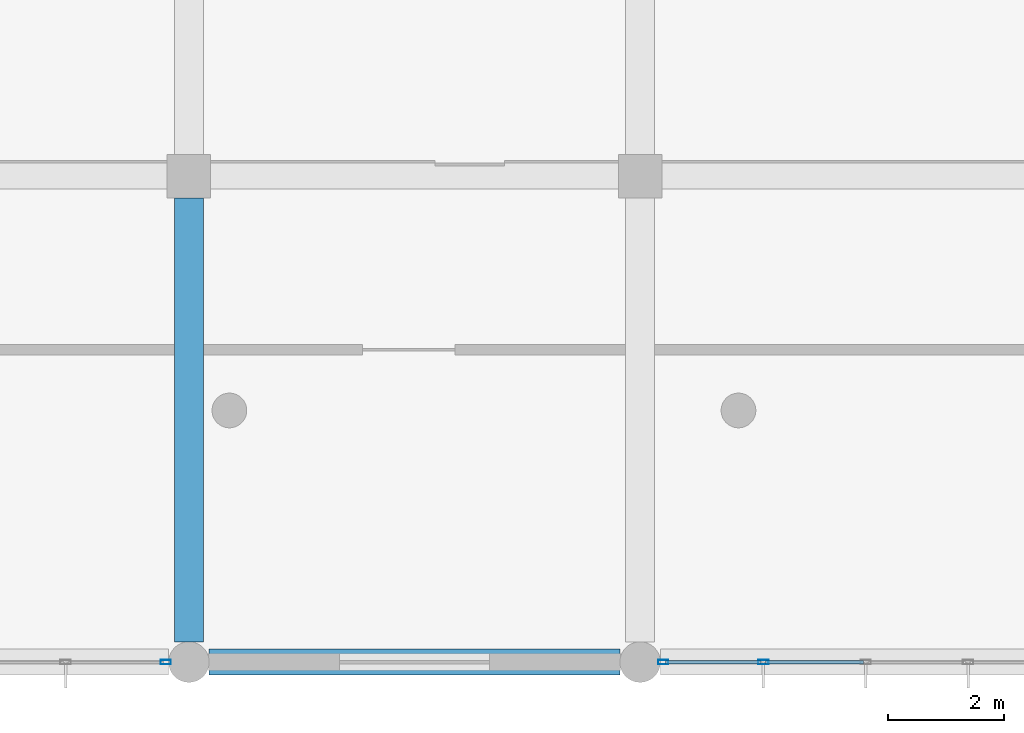
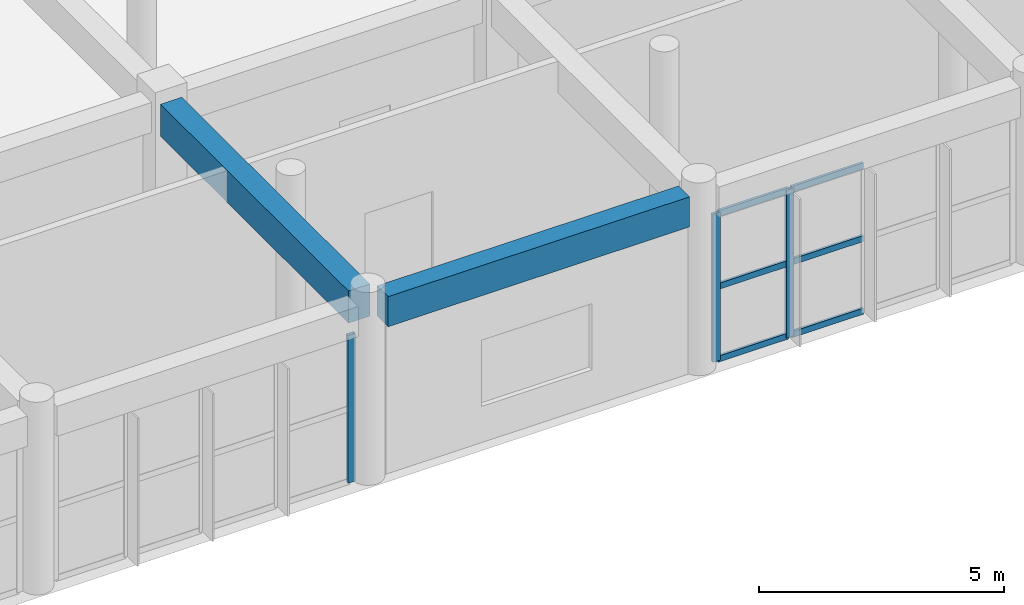
# One storey, part 37 of 175: 9 members, 2 beams, 2 elements without a shape of their own.
"""IFC4 building model written with IfcOpenShell, lengths in metres."""

from ifc_helpers import new_model, si_unit, direction, frame, origin, origin_2d, place, context, subcontext, project, spatial, rectangle, hollow_rectangle, extrude, material, layer, layer_set, material_profile, profile_set, type_object, element, aggregate, save


model = new_model("IFC4")

# Units and contexts
model_context = context("Model", 3, precision=1e-05, world=origin(), true_north=direction((0.0, 1.0)))
body_context = subcontext(model_context, "Body", "Model", "MODEL_VIEW")
ifc_project = project(units=[si_unit("LENGTHUNIT", "METRE"), si_unit("AREAUNIT", "SQUARE_METRE"), si_unit("VOLUMEUNIT", "CUBIC_METRE"), si_unit("PLANEANGLEUNIT", "RADIAN"), si_unit("MASSUNIT", "GRAM", prefix="KILO")], contexts=[model_context])

# Site, building, storey
site_placement = place(None, origin())
site = spatial("IfcSite", under=ifc_project, at=site_placement, CompositionType="ELEMENT")
building_placement = place(site_placement, origin())
building = spatial("IfcBuilding", under=site, at=building_placement, Name="Zizhar Promenade General Hospital", CompositionType="ELEMENT")
storey_placement = place(building_placement, frame((0.0, 0.0, 4.800048828125)))
storey = spatial("IfcBuildingStorey", under=building, at=storey_placement, Name="L01", CompositionType="ELEMENT", Elevation=4.800048828125)

# Beams
ifc_material_1 = material(Name="Concrete C35/45", Category="concrete")
ifc_material_profile_1 = material_profile(ifc_material_1, rectangle(XDim=0.449951171875, YDim=0.75, at=origin_2d()))
ifc_profile_set_1 = profile_set([ifc_material_profile_1], Name="Concrete C35/45")
beam_type_1 = type_object("IfcBeamType", Name="BM-RC-450x750", PredefinedType="BEAM", material=ifc_profile_set_1)
beam_1_placement = place(storey_placement, frame((109.550048828125, 0.0, 4.094970703125), z_axis=(1.0, 0.0, 0.0), x_axis=(0.0, 1.0, 0.0)))
element("IfcBeam", 1, at=beam_1_placement, inside=storey, type_object=beam_type_1, Name="Grid Beam X L01 (14-0)", PredefinedType="BEAM", context=body_context, shape_type="SweptSolid", body=[
    extrude(rectangle(XDim=0.449951171875, YDim=0.75, at=origin_2d()), origin(), (0.0, 0.0, 1.0), 7.099853515625),
])
ifc_material_2 = material(Name="Concrete C35/45", Category="concrete")
ifc_material_profile_2 = material_profile(ifc_material_2, rectangle(XDim=0.5, YDim=0.800048828125, at=origin_2d()))
ifc_profile_set_2 = profile_set([ifc_material_profile_2], Name="Concrete C35/45")
beam_type_2 = type_object("IfcBeamType", Name="BM-RC-500x800", PredefinedType="BEAM", material=ifc_profile_set_2)
beam_2_placement = place(storey_placement, frame((109.199951171875, 0.35009765625, 4.070068359375), z_axis=(0.0, 1.0, 0.0), x_axis=(-1.0, 0.0, 0.0)))
element("IfcBeam", 2, at=beam_2_placement, inside=storey, type_object=beam_type_2, Name="Grid Beam Y L01 (14-0)", PredefinedType="BEAM", context=body_context, shape_type="SweptSolid", body=[
    extrude(rectangle(XDim=0.5, YDim=0.800048828125, at=origin_2d()), origin(), (0.0, 0.0, 1.0), 7.6748046875),
])

# Curtain wall, member
ifc_material_3 = material(Name="Anodised aluminium 6063-T6 and low-E glass", Category="aluminium")
ifc_layer = layer(ifc_material_3, 0.159912109375)
ifc_layer_set = layer_set([ifc_layer], Name="Anodised aluminium 6063-T6 and low-E glass")
curtain_wall_type = type_object("IfcCurtainWallType", Name="CW-DT-MOD1", PredefinedType="NOTDEFINED", material=ifc_layer_set)
curtain_wall_1_placement = place(storey_placement, origin())
curtain_wall_1 = element("IfcCurtainWall", 3, at=curtain_wall_1_placement, inside=storey, type_object=curtain_wall_type, Name="Riverfront Clinical Curtain Wall L01-12", PredefinedType="NOTDEFINED")
ifc_material_4 = material(Name="Anodised aluminium 6063-T6", Category="aluminium")
ifc_material_profile_3 = material_profile(ifc_material_4, hollow_rectangle(XDim=0.080078125, YDim=0.179931640625, WallThickness=0.0048828125, at=origin_2d()))
ifc_profile_set_3 = profile_set([ifc_material_profile_3], Name="Anodised aluminium 6063-T6")
member_type_1 = type_object("IfcMemberType", Name="CWM-ALU-180x80", PredefinedType="MULLION", material=ifc_profile_set_3)
member_1_placement = place(storey_placement, frame((108.800048828125, 0.0, 0.0), z_axis=(0.0, 0.0, 1.0), x_axis=(0.0, -1.0, 0.0)))
member_1 = element("IfcMember", 4, at=member_1_placement, type_object=member_type_1, Name="CW-07 mullion 1", PredefinedType="MULLION", context=body_context, shape_type="SweptSolid", body=[
    extrude(hollow_rectangle(XDim=0.080078125, YDim=0.179931640625, WallThickness=0.0048828125, at=origin_2d()), origin(), (0.0, 0.0, 1.0), 3.679931640625),
])
aggregate(curtain_wall_1, [member_1])

# Curtain wall, members
curtain_wall_2_placement = place(storey_placement, origin())
curtain_wall_2 = element("IfcCurtainWall", 5, at=curtain_wall_2_placement, inside=storey, type_object=curtain_wall_type, Name="Riverfront Clinical Curtain Wall L01-14", PredefinedType="NOTDEFINED")
member_2_placement = place(storey_placement, frame((119.1298828125, 0.0, 0.0), z_axis=(0.0, 0.0, 1.0), x_axis=(0.0, -1.0, 0.0)))
member_2 = element("IfcMember", 6, at=member_2_placement, type_object=member_type_1, Name="CW-07 mullion 4", PredefinedType="MULLION", context=body_context, shape_type="SweptSolid", body=[
    extrude(hollow_rectangle(XDim=0.080078125, YDim=0.179931640625, WallThickness=0.0048828125, at=origin_2d()), origin(), (0.0, 0.0, 1.0), 3.679931640625),
])
member_3_placement = place(storey_placement, frame((117.39990234375, 0.0, 0.0), z_axis=(0.0, 0.0, 1.0), x_axis=(0.0, -1.0, 0.0)))
member_3 = element("IfcMember", 7, at=member_3_placement, type_object=member_type_1, Name="CW-07 mullion 5", PredefinedType="MULLION", context=body_context, shape_type="SweptSolid", body=[
    extrude(hollow_rectangle(XDim=0.080078125, YDim=0.179931640625, WallThickness=0.0048828125, at=origin_2d()), origin(), (0.0, 0.0, 1.0), 3.679931640625),
])
ifc_material_5 = material(Name="Anodised aluminium 6063-T6", Category="aluminium")
ifc_material_profile_4 = material_profile(ifc_material_5, hollow_rectangle(XDim=0.06005859375, YDim=0.14990234375, WallThickness=0.00390625, at=origin_2d()))
ifc_profile_set_4 = profile_set([ifc_material_profile_4], Name="Anodised aluminium 6063-T6")
member_type_2 = type_object("IfcMemberType", Name="CWT-ALU-150x60", PredefinedType="USERDEFINED", material=ifc_profile_set_4)
member_4_placement = place(storey_placement, frame((120.860107421875, 0.0, 0.030029296875), z_axis=(-1.0, 0.0, 0.0), x_axis=(0.0, -1.0, 0.0)))
member_4 = element("IfcMember", 8, at=member_4_placement, type_object=member_type_2, Name="CW-07 transom 3.1", ObjectType="TRANSOM", PredefinedType="USERDEFINED", context=body_context, shape_type="SweptSolid", body=[
    extrude(hollow_rectangle(XDim=0.06005859375, YDim=0.14990234375, WallThickness=0.00390625, at=origin_2d()), origin(), (0.0, 0.0, 1.0), 1.690185546875),
])
member_5_placement = place(storey_placement, frame((120.860107421875, 0.0, 1.83984375), z_axis=(-1.0, 0.0, 0.0), x_axis=(0.0, -1.0, 0.0)))
member_5 = element("IfcMember", 9, at=member_5_placement, type_object=member_type_2, Name="CW-07 transom 3.2", ObjectType="TRANSOM", PredefinedType="USERDEFINED", context=body_context, shape_type="SweptSolid", body=[
    extrude(hollow_rectangle(XDim=0.06005859375, YDim=0.14990234375, WallThickness=0.00390625, at=origin_2d()), origin(), (0.0, 0.0, 1.0), 1.690185546875),
])
member_6_placement = place(storey_placement, frame((120.860107421875, 0.0, 3.64990234375), z_axis=(-1.0, 0.0, 0.0), x_axis=(0.0, -1.0, 0.0)))
member_6 = element("IfcMember", 10, at=member_6_placement, type_object=member_type_2, Name="CW-07 transom 3.3", ObjectType="TRANSOM", PredefinedType="USERDEFINED", context=body_context, shape_type="SweptSolid", body=[
    extrude(hollow_rectangle(XDim=0.06005859375, YDim=0.14990234375, WallThickness=0.00390625, at=origin_2d()), origin(), (0.0, 0.0, 1.0), 1.690185546875),
])
member_7_placement = place(storey_placement, frame((119.090087890625, 0.0, 0.030029296875), z_axis=(-1.0, 0.0, 0.0), x_axis=(0.0, -1.0, 0.0)))
member_7 = element("IfcMember", 11, at=member_7_placement, type_object=member_type_2, Name="CW-07 transom 4.1", ObjectType="TRANSOM", PredefinedType="USERDEFINED", context=body_context, shape_type="SweptSolid", body=[
    extrude(hollow_rectangle(XDim=0.06005859375, YDim=0.14990234375, WallThickness=0.00390625, at=origin_2d()), origin(), (0.0, 0.0, 1.0), 1.650146484375),
])
member_8_placement = place(storey_placement, frame((119.090087890625, 0.0, 1.83984375), z_axis=(-1.0, 0.0, 0.0), x_axis=(0.0, -1.0, 0.0)))
member_8 = element("IfcMember", 12, at=member_8_placement, type_object=member_type_2, Name="CW-07 transom 4.2", ObjectType="TRANSOM", PredefinedType="USERDEFINED", context=body_context, shape_type="SweptSolid", body=[
    extrude(hollow_rectangle(XDim=0.06005859375, YDim=0.14990234375, WallThickness=0.00390625, at=origin_2d()), origin(), (0.0, 0.0, 1.0), 1.650146484375),
])
member_9_placement = place(storey_placement, frame((119.090087890625, 0.0, 3.64990234375), z_axis=(-1.0, 0.0, 0.0), x_axis=(0.0, -1.0, 0.0)))
member_9 = element("IfcMember", 13, at=member_9_placement, type_object=member_type_2, Name="CW-07 transom 4.3", ObjectType="TRANSOM", PredefinedType="USERDEFINED", context=body_context, shape_type="SweptSolid", body=[
    extrude(hollow_rectangle(XDim=0.06005859375, YDim=0.14990234375, WallThickness=0.00390625, at=origin_2d()), origin(), (0.0, 0.0, 1.0), 1.650146484375),
])
aggregate(curtain_wall_2, [member_2, member_3, member_4, member_5, member_6, member_7, member_8, member_9])

save(model, "model.ifc")
